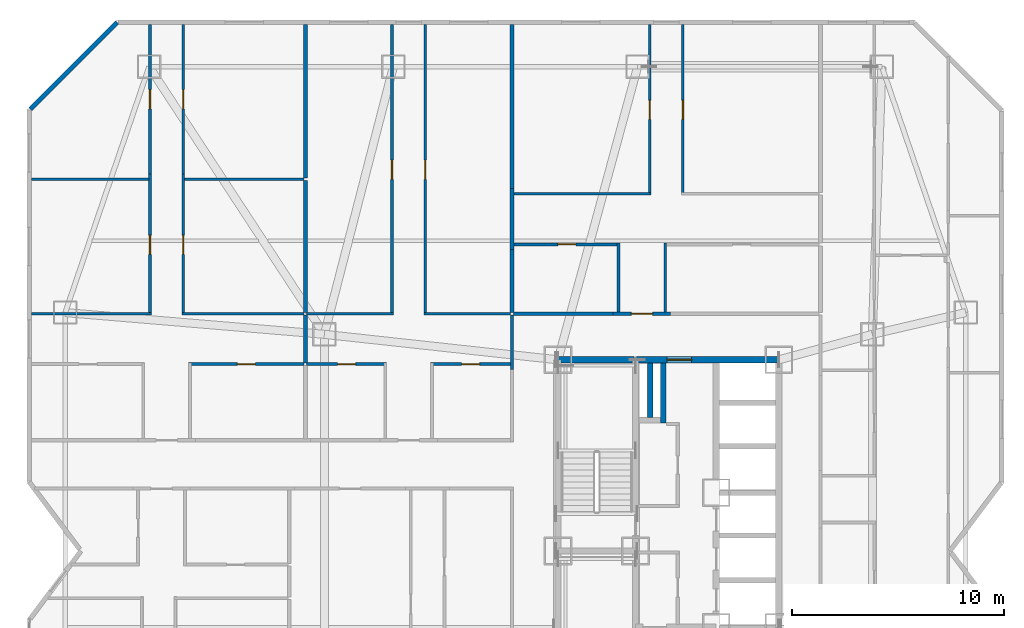
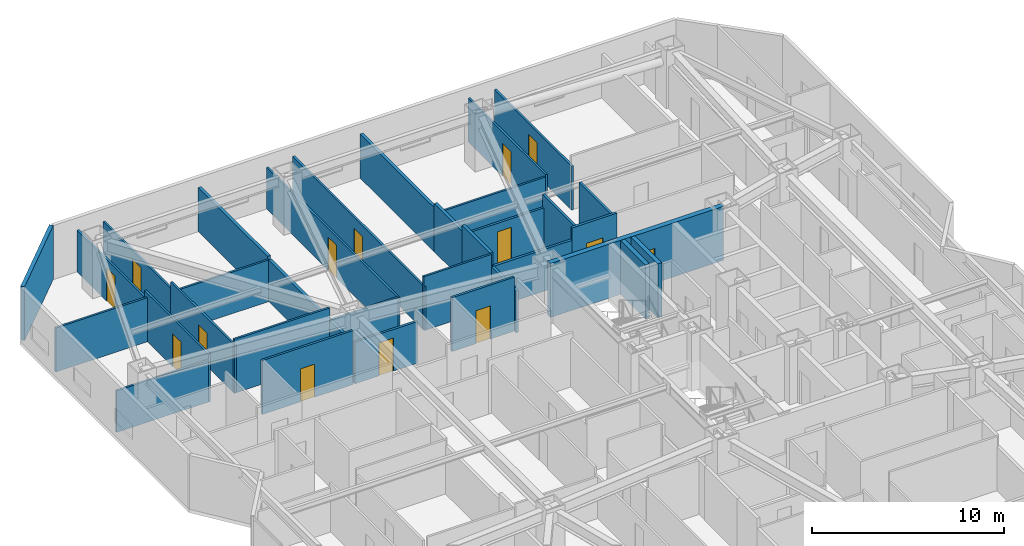
# One storey, part 15 of 18: 34 walls, 14 doors, 14 openings.
"""IFC4 building model written with IfcOpenShell, lengths in metres."""

from ifc_helpers import new_model, si_unit, direction, frame, frame_2d, origin, place, context, subcontext, project, spatial, rectangle, extrude, material, layer, layer_set, type_object, element, fill, save


model = new_model("IFC4")

# Units and contexts
model_context = context("Model", 3, precision=1e-05, world=origin(), true_north=direction((0.0, 1.0)))
body_context = subcontext(model_context, "Body", "Model", "MODEL_VIEW")
ifc_project = project(units=[si_unit("LENGTHUNIT", "METRE"), si_unit("AREAUNIT", "SQUARE_METRE"), si_unit("VOLUMEUNIT", "CUBIC_METRE"), si_unit("PLANEANGLEUNIT", "RADIAN"), si_unit("MASSUNIT", "GRAM", prefix="KILO")], contexts=[model_context])

# Site, building, storey
site_placement = place(None, origin())
site = spatial("IfcSite", under=ifc_project, at=site_placement, CompositionType="ELEMENT")
building_placement = place(site_placement, origin())
building = spatial("IfcBuilding", under=site, at=building_placement, Name="Khamvora Tower", CompositionType="ELEMENT")
storey_placement = place(building_placement, frame((0.0, 0.0, 47.89990234375)))
storey = spatial("IfcBuildingStorey", under=building, at=storey_placement, Name="L11", CompositionType="ELEMENT", Elevation=47.89990234375)

# Wall, opening, door
ifc_material_1 = material(Name="Concrete C50/60", Category="concrete")
ifc_layer_1 = layer(ifc_material_1, 0.300048828125)
ifc_layer_set_1 = layer_set([ifc_layer_1], Name="Concrete C50/60")
wall_type_1 = type_object("IfcWallType", Name="WAL-CORE-300", PredefinedType="SHEAR", material=ifc_layer_set_1)
wall_1_placement = place(storey_placement, frame((29.0, 37.0, 0.0), z_axis=(0.0, 0.0, 1.0), x_axis=(1.0, 0.0, 0.0)))
wall_1 = element("IfcWall", 1, at=wall_1_placement, inside=storey, type_object=wall_type_1, Name="L11 central core north wall", PredefinedType="SHEAR", context=body_context, shape_type="SweptSolid", body=[
    extrude(rectangle(XDim=10.39990234375, YDim=0.300048828125, at=frame_2d((5.199951171875, 0.0))), origin(), (0.0, 0.0, 1.0), 3.43017578125),
])
opening_1_placement = place(wall_1_placement, frame((5.139892578125, 0.0, 0.0)))
opening_1 = element("IfcOpeningElement", 2, at=opening_1_placement, cuts=wall_1, Name="Opening D-SC1", PredefinedType="OPENING", context=body_context, shape_type="SweptSolid", body=[
    extrude(rectangle(XDim=1.14990234375, YDim=2.199951171875, at=frame_2d((0.574951171875, 1.10009765625))), frame((0.0, 0.159912109375, 0.0), z_axis=(0.0, -1.0, 0.0), x_axis=(1.0, 0.0, 0.0)), (0.0, 0.0, 1.0), 0.320068359375),
])
ifc_material_2 = material(Name="Powder-Coated Steel and Hardwood Leaf", Category="steel")
door_type_1 = type_object("IfcDoorType", Name="DOR-SCHL-1150", OperationType="NOTDEFINED", PredefinedType="DOOR", material=ifc_material_2)
door_1_placement = place(opening_1_placement, origin())
door_1 = element("IfcDoor", 3, at=door_1_placement, inside=storey, type_object=door_type_1, Name="L11 north core lobby to corridor fire door", OperationType="SINGLE_SWING_LEFT", OverallHeight=2.199951171875, OverallWidth=1.14990234375, PredefinedType="DOOR", context=body_context, shape_type="SweptSolid", body=[
    extrude(rectangle(XDim=1.14990234375, YDim=2.199951171875, at=frame_2d((0.574951171875, 1.10009765625))), frame((0.0, 0.02490234375, 0.0), z_axis=(0.0, -1.0, 0.0), x_axis=(1.0, 0.0, 0.0)), (0.0, 0.0, 1.0), 0.050048828125),
])
fill(opening_1, door_1)

# Wall
ifc_material_3 = material(Name="Fire-Rated Drywall and Steel Stud", Category="steel")
ifc_layer_2 = layer(ifc_material_3, 0.14990234375)
ifc_layer_set_2 = layer_set([ifc_layer_2], Name="Fire-Rated Drywall and Steel Stud")
wall_type_2 = type_object("IfcWallType", Name="WAL-CORR-150", PredefinedType="STANDARD", material=ifc_layer_set_2)
wall_2_placement = place(storey_placement, frame((26.8349609375, 36.5458984375, 0.0), z_axis=(0.0, 0.0, 1.0), x_axis=(0.0, 1.0, 0.0)))
element("IfcWall", 4, at=wall_2_placement, inside=storey, type_object=wall_type_2, Name="L11 interior partition wall 019", PredefinedType="STANDARD", context=body_context, shape_type="SweptSolid", body=[
    extrude(rectangle(XDim=2.55419921875, YDim=0.14990234375, at=frame_2d((1.277099609375, 0.0))), origin(), (0.0, 0.0, 1.0), 2.647216796875),
])

# Wall, opening, door
wall_3_placement = place(storey_placement, frame((31.60107421875, 39.1650390625, 0.0), z_axis=(0.0, 0.0, 1.0), x_axis=(1.0, 0.0, 0.0)))
wall_3 = element("IfcWall", 5, at=wall_3_placement, inside=storey, type_object=wall_type_2, Name="L11 interior partition wall 027", PredefinedType="STANDARD", context=body_context, shape_type="SweptSolid", body=[
    extrude(rectangle(XDim=2.697998046875, YDim=0.14990234375, at=frame_2d((1.34912109375, 0.0))), origin(), (0.0, 0.0, 1.0), 3.43017578125),
])
opening_2_placement = place(wall_3_placement, frame((0.84912109375, 0.0, 0.0)))
opening_2 = element("IfcOpeningElement", 6, at=opening_2_placement, cuts=wall_3, Name="Opening D-U1", PredefinedType="OPENING", context=body_context, shape_type="SweptSolid", body=[
    extrude(rectangle(XDim=1.0, YDim=2.14990234375, at=frame_2d((0.5, 1.074951171875))), frame((0.0, 0.0849609375, 0.0), z_axis=(0.0, -1.0, 0.0), x_axis=(1.0, 0.0, 0.0)), (0.0, 0.0, 1.0), 0.169921875),
])
door_type_2 = type_object("IfcDoorType", Name="DOR-UNIT-1000", OperationType="NOTDEFINED", PredefinedType="DOOR", material=ifc_material_2)
door_2_placement = place(opening_2_placement, origin())
door_2 = element("IfcDoor", 7, at=door_2_placement, inside=storey, type_object=door_type_2, Name="L11 interior door COR-11NAH", OperationType="SINGLE_SWING_RIGHT", OverallHeight=2.14990234375, OverallWidth=1.0, PredefinedType="DOOR", context=body_context, shape_type="SweptSolid", body=[
    extrude(rectangle(XDim=1.0, YDim=2.14990234375, at=frame_2d((0.5, 1.074951171875))), frame((0.0, 0.02490234375, 0.0), z_axis=(0.0, -1.0, 0.0), x_axis=(1.0, 0.0, 0.0)), (0.0, 0.0, 1.0), 0.050048828125),
])
fill(opening_2, door_2)

# Walls
wall_4_placement = place(storey_placement, frame((26.89990234375, 39.1650390625, 0.0), z_axis=(0.0, 0.0, 1.0), x_axis=(1.0, 0.0, 0.0)))
element("IfcWall", 8, at=wall_4_placement, inside=storey, type_object=wall_type_2, Name="L11 interior partition wall 028", PredefinedType="STANDARD", context=body_context, shape_type="SweptSolid", body=[
    extrude(rectangle(XDim=4.701171875, YDim=0.14990234375, at=frame_2d((2.3505859375, 0.0))), origin(), (0.0, 0.0, 1.0), 2.647216796875),
])
ifc_material_4 = material(Name="Acoustic Double-Stud Fire Wall", Category="gypsum")
ifc_layer_3 = layer(ifc_material_4, 0.179931640625)
ifc_layer_set_3 = layer_set([ifc_layer_3], Name="Acoustic Double-Stud Fire Wall")
wall_type_3 = type_object("IfcWallType", Name="WAL-CORR-180", PredefinedType="STANDARD", material=ifc_layer_set_3)
wall_5_placement = place(storey_placement, frame((17.10498046875, 39.110107421875, 0.0), z_axis=(0.0, 0.0, 1.0), x_axis=(0.0, -1.0, 0.0)))
element("IfcWall", 9, at=wall_5_placement, inside=storey, type_object=wall_type_3, Name="L11 interior partition wall 087", PredefinedType="STANDARD", context=body_context, shape_type="SweptSolid", body=[
    extrude(rectangle(XDim=2.25, YDim=0.179931640625, at=frame_2d((1.125, 0.0))), origin(), (0.0, 0.0, 1.0), 2.647216796875),
])
wall_6_placement = place(storey_placement, frame((17.10498046875, 45.43603515625, 0.0), z_axis=(0.0, 0.0, 1.0), x_axis=(0.0, -1.0, 0.0)))
element("IfcWall", 10, at=wall_6_placement, inside=storey, type_object=wall_type_3, Name="L11 interior partition wall 091", PredefinedType="STANDARD", context=body_context, shape_type="SweptSolid", body=[
    extrude(rectangle(XDim=6.196044921875, YDim=0.179931640625, at=frame_2d((3.09814453125, 0.0))), origin(), (0.0, 0.0, 1.0), 2.647216796875),
])
wall_7_placement = place(storey_placement, frame((17.10498046875, 52.7880859375, 0.0), z_axis=(0.0, 0.0, 1.0), x_axis=(0.0, -1.0, 0.0)))
element("IfcWall", 11, at=wall_7_placement, inside=storey, type_object=wall_type_3, Name="L11 interior partition wall 092", PredefinedType="STANDARD", context=body_context, shape_type="SweptSolid", body=[
    extrude(rectangle(XDim=7.22216796875, YDim=0.179931640625, at=frame_2d((3.611083984375, 0.0))), origin(), (0.0, 0.0, 1.0), 2.802978515625),
])
wall_8_placement = place(storey_placement, frame((26.8349609375, 45.06298828125, 0.0), z_axis=(0.0, 0.0, 1.0), x_axis=(0.0, -1.0, 0.0)))
element("IfcWall", 12, at=wall_8_placement, inside=storey, type_object=wall_type_3, Name="L11 interior partition wall 101", PredefinedType="STANDARD", context=body_context, shape_type="SweptSolid", body=[
    extrude(rectangle(XDim=2.8779296875, YDim=0.179931640625, at=frame_2d((1.43896484375, 0.0))), origin(), (0.0, 0.0, 1.0), 3.065185546875),
])
wall_9_placement = place(storey_placement, frame((26.8349609375, 42.18505859375, 0.0), z_axis=(0.0, 0.0, 1.0), x_axis=(0.0, -1.0, 0.0)))
element("IfcWall", 13, at=wall_9_placement, inside=storey, type_object=wall_type_3, Name="L11 interior partition wall 102", PredefinedType="STANDARD", context=body_context, shape_type="SweptSolid", body=[
    extrude(rectangle(XDim=2.945068359375, YDim=0.179931640625, at=frame_2d((1.47265625, 0.0))), origin(), (0.0, 0.0, 1.0), 3.43017578125),
])
wall_10_placement = place(storey_placement, frame((26.8349609375, 52.7880859375, 0.0), z_axis=(0.0, 0.0, 1.0), x_axis=(0.0, -1.0, 0.0)))
element("IfcWall", 14, at=wall_10_placement, inside=storey, type_object=wall_type_3, Name="L11 interior partition wall 103", PredefinedType="STANDARD", context=body_context, shape_type="SweptSolid", body=[
    extrude(rectangle(XDim=7.72509765625, YDim=0.179931640625, at=frame_2d((3.862548828125, 0.0))), origin(), (0.0, 0.0, 1.0), 2.802978515625),
])
ifc_material_5 = material(Name="Precast concrete C40/50", Category="concrete")
ifc_layer_4 = layer(ifc_material_5, 0.219970703125)
ifc_layer_set_4 = layer_set([ifc_layer_4], Name="Precast concrete C40/50")
wall_type_4 = type_object("IfcWallType", Name="WAL-EXT-220", PredefinedType="STANDARD", material=ifc_layer_set_4)
wall_11_placement = place(storey_placement, frame((4.157958984375, 48.802001953125, 0.0), z_axis=(0.0, 0.0, 1.0), x_axis=(0.70712789547, 0.707085666273, 0.0)))
element("IfcWall", 15, at=wall_11_placement, inside=storey, type_object=wall_type_4, Name="L11 exterior facade wall 06.1", PredefinedType="STANDARD", context=body_context, shape_type="SweptSolid", body=[
    extrude(rectangle(XDim=5.78125, YDim=0.219970703125, at=frame_2d((2.890625, 0.0))), origin(), (0.0, 0.0, 1.0), 3.43017578125),
])
ifc_material_6 = material(Name="Gypsum Plasterboard Partition", Category="gypsum")
ifc_layer_5 = layer(ifc_material_6, 0.1201171875)
ifc_layer_set_5 = layer_set([ifc_layer_5], Name="Gypsum Plasterboard Partition")
wall_type_5 = type_object("IfcWallType", Name="WAL-PART-120", PredefinedType="PARTITIONING", material=ifc_layer_set_5)
wall_12_placement = place(storey_placement, frame((4.2119140625, 39.175048828125, 0.0), z_axis=(0.0, 0.0, 1.0), x_axis=(1.0, 0.0, 0.0)))
element("IfcWall", 16, at=wall_12_placement, inside=storey, type_object=wall_type_5, Name="L11 interior partition wall 081", PredefinedType="PARTITIONING", context=body_context, shape_type="SweptSolid", body=[
    extrude(rectangle(XDim=5.64306640625, YDim=0.1201171875, at=frame_2d((2.821533203125, 0.0))), origin(), (0.0, 0.0, 1.0), 2.647216796875),
])

# Wall, opening, door
wall_13_placement = place(storey_placement, frame((9.7900390625, 39.110107421875, 0.0), z_axis=(0.0, 0.0, 1.0), x_axis=(0.0, 1.0, 0.0)))
wall_13 = element("IfcWall", 17, at=wall_13_placement, inside=storey, type_object=wall_type_5, Name="L11 interior partition wall 082", PredefinedType="PARTITIONING", context=body_context, shape_type="SweptSolid", body=[
    extrude(rectangle(XDim=6.639892578125, YDim=0.1201171875, at=frame_2d((3.31982421875, 0.0))), origin(), (0.0, 0.0, 1.0), 3.065185546875),
])
opening_3_placement = place(wall_13_placement, frame((2.84912109375, 0.0, 0.0)))
opening_3 = element("IfcOpeningElement", 18, at=opening_3_placement, cuts=wall_13, Name="Opening D-RM1", PredefinedType="OPENING", context=body_context, shape_type="SweptSolid", body=[
    extrude(rectangle(XDim=0.89990234375, YDim=2.10009765625, at=frame_2d((0.449951171875, 1.050048828125))), frame((0.0, 0.070068359375, 0.0), z_axis=(0.0, -1.0, 0.0), x_axis=(1.0, 0.0, 0.0)), (0.0, 0.0, 1.0), 0.14013671875),
])
door_type_3 = type_object("IfcDoorType", Name="DOR-ROOM-900", OperationType="NOTDEFINED", PredefinedType="DOOR", material=ifc_material_2)
door_3_placement = place(opening_3_placement, origin())
door_3 = element("IfcDoor", 19, at=door_3_placement, inside=storey, type_object=door_type_3, Name="L11 interior door 11WBH-11WBR1", OperationType="SINGLE_SWING_RIGHT", OverallHeight=2.10009765625, OverallWidth=0.89990234375, PredefinedType="DOOR", context=body_context, shape_type="SweptSolid", body=[
    extrude(rectangle(XDim=0.89990234375, YDim=2.10009765625, at=frame_2d((0.449951171875, 1.050048828125))), frame((0.0, 0.02490234375, 0.0), z_axis=(0.0, -1.0, 0.0), x_axis=(1.0, 0.0, 0.0)), (0.0, 0.0, 1.0), 0.050048828125),
])
fill(opening_3, door_3)

wall_14_placement = place(storey_placement, frame((9.7900390625, 45.75, 0.0), z_axis=(0.0, 0.0, 1.0), x_axis=(0.0, 1.0, 0.0)))
wall_14 = element("IfcWall", 20, at=wall_14_placement, inside=storey, type_object=wall_type_5, Name="L11 interior partition wall 083", PredefinedType="PARTITIONING", context=body_context, shape_type="SweptSolid", body=[
    extrude(rectangle(XDim=7.0380859375, YDim=0.1201171875, at=frame_2d((3.51904296875, 0.0))), origin(), (0.0, 0.0, 1.0), 2.647216796875),
])
opening_4_placement = place(wall_14_placement, frame((3.069091796875, 0.0, 0.0)))
opening_4 = element("IfcOpeningElement", 21, at=opening_4_placement, cuts=wall_14, Name="Opening D-RM1", PredefinedType="OPENING", context=body_context, shape_type="SweptSolid", body=[
    extrude(rectangle(XDim=0.89990234375, YDim=2.10009765625, at=frame_2d((0.449951171875, 1.050048828125))), frame((0.0, 0.070068359375, 0.0), z_axis=(0.0, -1.0, 0.0), x_axis=(1.0, 0.0, 0.0)), (0.0, 0.0, 1.0), 0.14013671875),
])
door_4_placement = place(opening_4_placement, origin())
door_4 = element("IfcDoor", 22, at=door_4_placement, inside=storey, type_object=door_type_3, Name="L11 interior door 11WBH-11WBR2", OperationType="SINGLE_SWING_LEFT", OverallHeight=2.10009765625, OverallWidth=0.89990234375, PredefinedType="DOOR", context=body_context, shape_type="SweptSolid", body=[
    extrude(rectangle(XDim=0.89990234375, YDim=2.10009765625, at=frame_2d((0.449951171875, 1.050048828125))), frame((0.0, 0.02490234375, 0.0), z_axis=(0.0, -1.0, 0.0), x_axis=(1.0, 0.0, 0.0)), (0.0, 0.0, 1.0), 0.050048828125),
])
fill(opening_4, door_4)

wall_15_placement = place(storey_placement, frame((11.360107421875, 45.75, 0.0), z_axis=(0.0, 0.0, 1.0), x_axis=(0.0, -1.0, 0.0)))
wall_15 = element("IfcWall", 23, at=wall_15_placement, inside=storey, type_object=wall_type_5, Name="L11 interior partition wall 084", PredefinedType="PARTITIONING", context=body_context, shape_type="SweptSolid", body=[
    extrude(rectangle(XDim=6.639892578125, YDim=0.1201171875, at=frame_2d((3.31982421875, 0.0))), origin(), (0.0, 0.0, 1.0), 3.065185546875),
])
opening_5_placement = place(wall_15_placement, frame((2.89111328125, 0.0, 0.0)))
opening_5 = element("IfcOpeningElement", 24, at=opening_5_placement, cuts=wall_15, Name="Opening D-RM1", PredefinedType="OPENING", context=body_context, shape_type="SweptSolid", body=[
    extrude(rectangle(XDim=0.89990234375, YDim=2.10009765625, at=frame_2d((0.449951171875, 1.050048828125))), frame((0.0, 0.070068359375, 0.0), z_axis=(0.0, -1.0, 0.0), x_axis=(1.0, 0.0, 0.0)), (0.0, 0.0, 1.0), 0.14013671875),
])
door_5_placement = place(opening_5_placement, origin())
door_5 = element("IfcDoor", 25, at=door_5_placement, inside=storey, type_object=door_type_3, Name="L11 interior door 11WBH-11WBR3", OperationType="SINGLE_SWING_RIGHT", OverallHeight=2.10009765625, OverallWidth=0.89990234375, PredefinedType="DOOR", context=body_context, shape_type="SweptSolid", body=[
    extrude(rectangle(XDim=0.89990234375, YDim=2.10009765625, at=frame_2d((0.449951171875, 1.050048828125))), frame((0.0, 0.02490234375, 0.0), z_axis=(0.0, -1.0, 0.0), x_axis=(1.0, 0.0, 0.0)), (0.0, 0.0, 1.0), 0.050048828125),
])
fill(opening_5, door_5)

# Wall
wall_16_placement = place(storey_placement, frame((11.294921875, 39.175048828125, 0.0), z_axis=(0.0, 0.0, 1.0), x_axis=(1.0, 0.0, 0.0)))
element("IfcWall", 26, at=wall_16_placement, inside=storey, type_object=wall_type_5, Name="L11 interior partition wall 085", PredefinedType="PARTITIONING", context=body_context, shape_type="SweptSolid", body=[
    extrude(rectangle(XDim=5.7451171875, YDim=0.1201171875, at=frame_2d((2.87255859375, 0.0))), origin(), (0.0, 0.0, 1.0), 3.43017578125),
])

# Wall, opening, door
wall_17_placement = place(storey_placement, frame((11.360107421875, 52.7880859375, 0.0), z_axis=(0.0, 0.0, 1.0), x_axis=(0.0, -1.0, 0.0)))
wall_17 = element("IfcWall", 27, at=wall_17_placement, inside=storey, type_object=wall_type_5, Name="L11 interior partition wall 086", PredefinedType="PARTITIONING", context=body_context, shape_type="SweptSolid", body=[
    extrude(rectangle(XDim=7.0380859375, YDim=0.1201171875, at=frame_2d((3.51904296875, 0.0))), origin(), (0.0, 0.0, 1.0), 2.647216796875),
])
opening_6_placement = place(wall_17_placement, frame((3.069091796875, 0.0, 0.0)))
opening_6 = element("IfcOpeningElement", 28, at=opening_6_placement, cuts=wall_17, Name="Opening D-RM1", PredefinedType="OPENING", context=body_context, shape_type="SweptSolid", body=[
    extrude(rectangle(XDim=0.89990234375, YDim=2.10009765625, at=frame_2d((0.449951171875, 1.050048828125))), frame((0.0, 0.070068359375, 0.0), z_axis=(0.0, -1.0, 0.0), x_axis=(1.0, 0.0, 0.0)), (0.0, 0.0, 1.0), 0.14013671875),
])
door_6_placement = place(opening_6_placement, origin())
door_6 = element("IfcDoor", 29, at=door_6_placement, inside=storey, type_object=door_type_3, Name="L11 interior door 11WBH-11WBR4", OperationType="SINGLE_SWING_LEFT", OverallHeight=2.10009765625, OverallWidth=0.89990234375, PredefinedType="DOOR", context=body_context, shape_type="SweptSolid", body=[
    extrude(rectangle(XDim=0.89990234375, YDim=2.10009765625, at=frame_2d((0.449951171875, 1.050048828125))), frame((0.0, 0.02490234375, 0.0), z_axis=(0.0, -1.0, 0.0), x_axis=(1.0, 0.0, 0.0)), (0.0, 0.0, 1.0), 0.050048828125),
])
fill(opening_6, door_6)

# Walls
wall_18_placement = place(storey_placement, frame((4.2119140625, 45.5009765625, 0.0), z_axis=(0.0, 0.0, 1.0), x_axis=(1.0, 0.0, 0.0)))
element("IfcWall", 30, at=wall_18_placement, inside=storey, type_object=wall_type_5, Name="L11 interior partition wall 089", PredefinedType="PARTITIONING", context=body_context, shape_type="SweptSolid", body=[
    extrude(rectangle(XDim=5.524169921875, YDim=0.1201171875, at=frame_2d((2.76220703125, 0.0))), origin(), (0.0, 0.0, 1.0), 2.802978515625),
])
wall_19_placement = place(storey_placement, frame((11.4140625, 45.5009765625, 0.0), z_axis=(0.0, 0.0, 1.0), x_axis=(1.0, 0.0, 0.0)))
element("IfcWall", 31, at=wall_19_placement, inside=storey, type_object=wall_type_5, Name="L11 interior partition wall 090", PredefinedType="PARTITIONING", context=body_context, shape_type="SweptSolid", body=[
    extrude(rectangle(XDim=5.6259765625, YDim=0.1201171875, at=frame_2d((2.81298828125, 0.0))), origin(), (0.0, 0.0, 1.0), 2.647216796875),
])
wall_20_placement = place(storey_placement, frame((17.169921875, 39.175048828125, 0.0), z_axis=(0.0, 0.0, 1.0), x_axis=(1.0, 0.0, 0.0)))
element("IfcWall", 32, at=wall_20_placement, inside=storey, type_object=wall_type_5, Name="L11 interior partition wall 097", PredefinedType="PARTITIONING", context=body_context, shape_type="SweptSolid", body=[
    extrude(rectangle(XDim=4.080078125, YDim=0.1201171875, at=frame_2d((2.0400390625, 0.0))), origin(), (0.0, 0.0, 1.0), 2.647216796875),
])

# Wall, opening, door
wall_21_placement = place(storey_placement, frame((21.18505859375, 39.110107421875, 0.0), z_axis=(0.0, 0.0, 1.0), x_axis=(0.0, 1.0, 0.0)))
wall_21 = element("IfcWall", 33, at=wall_21_placement, inside=storey, type_object=wall_type_5, Name="L11 interior partition wall 098", PredefinedType="PARTITIONING", context=body_context, shape_type="SweptSolid", body=[
    extrude(rectangle(XDim=13.677978515625, YDim=0.1201171875, at=frame_2d((6.8388671875, 0.0))), origin(), (0.0, 0.0, 1.0), 2.647216796875),
])
opening_7_placement = place(wall_21_placement, frame((6.388916015625, 0.0, 0.0)))
opening_7 = element("IfcOpeningElement", 34, at=opening_7_placement, cuts=wall_21, Name="Opening D-RM1", PredefinedType="OPENING", context=body_context, shape_type="SweptSolid", body=[
    extrude(rectangle(XDim=0.89990234375, YDim=2.10009765625, at=frame_2d((0.449951171875, 1.050048828125))), frame((0.0, 0.070068359375, 0.0), z_axis=(0.0, -1.0, 0.0), x_axis=(1.0, 0.0, 0.0)), (0.0, 0.0, 1.0), 0.14013671875),
])
door_7_placement = place(opening_7_placement, origin())
door_7 = element("IfcDoor", 35, at=door_7_placement, inside=storey, type_object=door_type_3, Name="L11 interior door 11WCH-11WCR1", OperationType="SINGLE_SWING_RIGHT", OverallHeight=2.10009765625, OverallWidth=0.89990234375, PredefinedType="DOOR", context=body_context, shape_type="SweptSolid", body=[
    extrude(rectangle(XDim=0.89990234375, YDim=2.10009765625, at=frame_2d((0.449951171875, 1.050048828125))), frame((0.0, 0.02490234375, 0.0), z_axis=(0.0, -1.0, 0.0), x_axis=(1.0, 0.0, 0.0)), (0.0, 0.0, 1.0), 0.050048828125),
])
fill(opening_7, door_7)

wall_22_placement = place(storey_placement, frame((22.7548828125, 52.7880859375, 0.0), z_axis=(0.0, 0.0, 1.0), x_axis=(0.0, -1.0, 0.0)))
wall_22 = element("IfcWall", 36, at=wall_22_placement, inside=storey, type_object=wall_type_5, Name="L11 interior partition wall 099", PredefinedType="PARTITIONING", context=body_context, shape_type="SweptSolid", body=[
    extrude(rectangle(XDim=13.677978515625, YDim=0.1201171875, at=frame_2d((6.8388671875, 0.0))), origin(), (0.0, 0.0, 1.0), 2.802978515625),
])
opening_8_placement = place(wall_22_placement, frame((6.388916015625, 0.0, 0.0)))
opening_8 = element("IfcOpeningElement", 37, at=opening_8_placement, cuts=wall_22, Name="Opening D-RM1", PredefinedType="OPENING", context=body_context, shape_type="SweptSolid", body=[
    extrude(rectangle(XDim=0.89990234375, YDim=2.10009765625, at=frame_2d((0.449951171875, 1.050048828125))), frame((0.0, 0.070068359375, 0.0), z_axis=(0.0, -1.0, 0.0), x_axis=(1.0, 0.0, 0.0)), (0.0, 0.0, 1.0), 0.14013671875),
])
door_8_placement = place(opening_8_placement, origin())
door_8 = element("IfcDoor", 38, at=door_8_placement, inside=storey, type_object=door_type_3, Name="L11 interior door 11WCH-11WCR2", OperationType="SINGLE_SWING_LEFT", OverallHeight=2.10009765625, OverallWidth=0.89990234375, PredefinedType="DOOR", context=body_context, shape_type="SweptSolid", body=[
    extrude(rectangle(XDim=0.89990234375, YDim=2.10009765625, at=frame_2d((0.449951171875, 1.050048828125))), frame((0.0, 0.02490234375, 0.0), z_axis=(0.0, -1.0, 0.0), x_axis=(1.0, 0.0, 0.0)), (0.0, 0.0, 1.0), 0.050048828125),
])
fill(opening_8, door_8)

# Walls
wall_23_placement = place(storey_placement, frame((22.68994140625, 39.175048828125, 0.0), z_axis=(0.0, 0.0, 1.0), x_axis=(1.0, 0.0, 0.0)))
element("IfcWall", 39, at=wall_23_placement, inside=storey, type_object=wall_type_5, Name="L11 interior partition wall 100", PredefinedType="PARTITIONING", context=body_context, shape_type="SweptSolid", body=[
    extrude(rectangle(XDim=4.080078125, YDim=0.1201171875, at=frame_2d((2.0400390625, 0.0))), origin(), (0.0, 0.0, 1.0), 3.43017578125),
])
wall_24_placement = place(storey_placement, frame((26.9169921875, 44.81396484375, 0.0), z_axis=(0.0, 0.0, 1.0), x_axis=(1.0, 0.0, 0.0)))
element("IfcWall", 40, at=wall_24_placement, inside=storey, type_object=wall_type_5, Name="L11 interior partition wall 120", PredefinedType="PARTITIONING", context=body_context, shape_type="SweptSolid", body=[
    extrude(rectangle(XDim=6.462890625, YDim=0.1201171875, at=frame_2d((3.2314453125, 0.0))), origin(), (0.0, 0.0, 1.0), 2.647216796875),
])

# Wall, opening, door
wall_25_placement = place(storey_placement, frame((33.31494140625, 44.7490234375, 0.0), z_axis=(0.0, 0.0, 1.0), x_axis=(0.0, 1.0, 0.0)))
wall_25 = element("IfcWall", 41, at=wall_25_placement, inside=storey, type_object=wall_type_5, Name="L11 interior partition wall 121", PredefinedType="PARTITIONING", context=body_context, shape_type="SweptSolid", body=[
    extrude(rectangle(XDim=8.0390625, YDim=0.1201171875, at=frame_2d((4.01953125, 0.0))), origin(), (0.0, 0.0, 1.0), 2.802978515625),
])
opening_9_placement = place(wall_25_placement, frame((3.569091796875, 0.0, 0.0)))
opening_9 = element("IfcOpeningElement", 42, at=opening_9_placement, cuts=wall_25, Name="Opening D-RM1", PredefinedType="OPENING", context=body_context, shape_type="SweptSolid", body=[
    extrude(rectangle(XDim=0.89990234375, YDim=2.10009765625, at=frame_2d((0.449951171875, 1.050048828125))), frame((0.0, 0.070068359375, 0.0), z_axis=(0.0, -1.0, 0.0), x_axis=(1.0, 0.0, 0.0)), (0.0, 0.0, 1.0), 0.14013671875),
])
door_9_placement = place(opening_9_placement, origin())
door_9 = element("IfcDoor", 43, at=door_9_placement, inside=storey, type_object=door_type_3, Name="L11 interior door 11NAH-11NAR1", OperationType="SINGLE_SWING_RIGHT", OverallHeight=2.10009765625, OverallWidth=0.89990234375, PredefinedType="DOOR", context=body_context, shape_type="SweptSolid", body=[
    extrude(rectangle(XDim=0.89990234375, YDim=2.10009765625, at=frame_2d((0.449951171875, 1.050048828125))), frame((0.0, 0.02490234375, 0.0), z_axis=(0.0, -1.0, 0.0), x_axis=(1.0, 0.0, 0.0)), (0.0, 0.0, 1.0), 0.050048828125),
])
fill(opening_9, door_9)

wall_26_placement = place(storey_placement, frame((34.885009765625, 52.7880859375, 0.0), z_axis=(0.0, 0.0, 1.0), x_axis=(0.0, -1.0, 0.0)))
wall_26 = element("IfcWall", 44, at=wall_26_placement, inside=storey, type_object=wall_type_5, Name="L11 interior partition wall 122", PredefinedType="PARTITIONING", context=body_context, shape_type="SweptSolid", body=[
    extrude(rectangle(XDim=8.0390625, YDim=0.1201171875, at=frame_2d((4.01953125, 0.0))), origin(), (0.0, 0.0, 1.0), 2.802978515625),
])
opening_10_placement = place(wall_26_placement, frame((3.569091796875, 0.0, 0.0)))
opening_10 = element("IfcOpeningElement", 45, at=opening_10_placement, cuts=wall_26, Name="Opening D-RM1", PredefinedType="OPENING", context=body_context, shape_type="SweptSolid", body=[
    extrude(rectangle(XDim=0.89990234375, YDim=2.10009765625, at=frame_2d((0.449951171875, 1.050048828125))), frame((0.0, 0.070068359375, 0.0), z_axis=(0.0, -1.0, 0.0), x_axis=(1.0, 0.0, 0.0)), (0.0, 0.0, 1.0), 0.14013671875),
])
door_10_placement = place(opening_10_placement, origin())
door_10 = element("IfcDoor", 46, at=door_10_placement, inside=storey, type_object=door_type_3, Name="L11 interior door 11NAH-11NAR2", OperationType="SINGLE_SWING_LEFT", OverallHeight=2.10009765625, OverallWidth=0.89990234375, PredefinedType="DOOR", context=body_context, shape_type="SweptSolid", body=[
    extrude(rectangle(XDim=0.89990234375, YDim=2.10009765625, at=frame_2d((0.449951171875, 1.050048828125))), frame((0.0, 0.02490234375, 0.0), z_axis=(0.0, -1.0, 0.0), x_axis=(1.0, 0.0, 0.0)), (0.0, 0.0, 1.0), 0.050048828125),
])
fill(opening_10, door_10)

# Walls
ifc_material_7 = material(Name="Concrete C40/50", Category="concrete")
ifc_layer_6 = layer(ifc_material_7, 0.25)
ifc_layer_set_6 = layer_set([ifc_layer_6], Name="Concrete C40/50")
wall_type_6 = type_object("IfcWallType", Name="WAL-PODS-250", PredefinedType="SHEAR", material=ifc_layer_set_6)
wall_27_placement = place(storey_placement, frame((33.955078125, 34.02490234375, 0.0), z_axis=(0.0, 0.0, 1.0), x_axis=(0.0, 1.0, 0.0)))
element("IfcWall", 47, at=wall_27_placement, inside=storey, type_object=wall_type_6, Name="L11 vertical MEP riser shaft east enclosure wall", PredefinedType="SHEAR", context=body_context, shape_type="SweptSolid", body=[
    extrude(rectangle(XDim=2.821044921875, YDim=0.25, at=frame_2d((1.41064453125, 0.0))), origin(), (0.0, 0.0, 1.0), 3.43017578125),
])
wall_28_placement = place(storey_placement, frame((33.340087890625, 34.279052734375, 0.0), z_axis=(0.0, 0.0, 1.0), x_axis=(0.0, 1.0, 0.0)))
element("IfcWall", 48, at=wall_28_placement, inside=storey, type_object=wall_type_6, Name="L11 vertical MEP riser shaft divider enclosure wall", PredefinedType="SHEAR", context=body_context, shape_type="SweptSolid", body=[
    extrude(rectangle(XDim=2.56689453125, YDim=0.25, at=frame_2d((1.283447265625, 0.0))), origin(), (0.0, 0.0, 1.0), 3.43017578125),
])

# Wall, opening, door
ifc_material_8 = material(Name="Moisture-Resistant Plasterboard Partition", Category="gypsum")
ifc_layer_7 = layer(ifc_material_8, 0.135009765625)
ifc_layer_set_7 = layer_set([ifc_layer_7], Name="Moisture-Resistant Plasterboard Partition")
wall_type_7 = type_object("IfcWallType", Name="WAL-WET-135", PredefinedType="PARTITIONING", material=ifc_layer_set_7)
wall_29_placement = place(storey_placement, frame((17.0400390625, 36.794921875, 0.0), z_axis=(0.0, 0.0, 1.0), x_axis=(-1.0, 0.0, 0.0)))
wall_29 = element("IfcWall", 49, at=wall_29_placement, inside=storey, type_object=wall_type_7, Name="L11 interior partition wall 079", PredefinedType="PARTITIONING", context=body_context, shape_type="SweptSolid", body=[
    extrude(rectangle(XDim=5.429931640625, YDim=0.135009765625, at=frame_2d((2.71484375, 0.0))), origin(), (0.0, 0.0, 1.0), 3.43017578125),
])
opening_11_placement = place(wall_29_placement, frame((2.2900390625, 0.0, 0.0)))
opening_11 = element("IfcOpeningElement", 50, at=opening_11_placement, cuts=wall_29, Name="Opening D-RM2", PredefinedType="OPENING", context=body_context, shape_type="SweptSolid", body=[
    extrude(rectangle(XDim=0.85009765625, YDim=2.10009765625, at=frame_2d((0.425048828125, 1.050048828125))), frame((0.0, 0.077392578125, 0.0), z_axis=(0.0, -1.0, 0.0), x_axis=(1.0, 0.0, 0.0)), (0.0, 0.0, 1.0), 0.155029296875),
])
door_type_4 = type_object("IfcDoorType", Name="DOR-ROOM-850", OperationType="NOTDEFINED", PredefinedType="DOOR", material=ifc_material_2)
door_11_placement = place(opening_11_placement, origin())
door_11 = element("IfcDoor", 51, at=door_11_placement, inside=storey, type_object=door_type_4, Name="L11 interior door 11WBH-11WBK", OperationType="SINGLE_SWING_LEFT", OverallHeight=2.10009765625, OverallWidth=0.85009765625, PredefinedType="DOOR", context=body_context, shape_type="SweptSolid", body=[
    extrude(rectangle(XDim=0.85009765625, YDim=2.10009765625, at=frame_2d((0.425048828125, 1.050048828125))), frame((0.0, 0.02490234375, 0.0), z_axis=(0.0, -1.0, 0.0), x_axis=(1.0, 0.0, 0.0)), (0.0, 0.0, 1.0), 0.050048828125),
])
fill(opening_11, door_11)

wall_30_placement = place(storey_placement, frame((20.93505859375, 36.794921875, 0.0), z_axis=(0.0, 0.0, 1.0), x_axis=(-1.0, 0.0, 0.0)))
wall_30 = element("IfcWall", 52, at=wall_30_placement, inside=storey, type_object=wall_type_7, Name="L11 interior partition wall 094", PredefinedType="PARTITIONING", context=body_context, shape_type="SweptSolid", body=[
    extrude(rectangle(XDim=3.76513671875, YDim=0.135009765625, at=frame_2d((1.882568359375, 0.0))), origin(), (0.0, 0.0, 1.0), 2.647216796875),
])
opening_12_placement = place(wall_30_placement, frame((1.4580078125, 0.0, 0.0)))
opening_12 = element("IfcOpeningElement", 53, at=opening_12_placement, cuts=wall_30, Name="Opening D-WC1", PredefinedType="OPENING", context=body_context, shape_type="SweptSolid", body=[
    extrude(rectangle(XDim=0.85009765625, YDim=2.10009765625, at=frame_2d((0.425048828125, 1.050048828125))), frame((0.0, 0.077392578125, 0.0), z_axis=(0.0, -1.0, 0.0), x_axis=(1.0, 0.0, 0.0)), (0.0, 0.0, 1.0), 0.155029296875),
])
door_type_5 = type_object("IfcDoorType", Name="DOR-WET-850", OperationType="NOTDEFINED", PredefinedType="DOOR", material=ifc_material_2)
door_12_placement = place(opening_12_placement, origin())
door_12 = element("IfcDoor", 54, at=door_12_placement, inside=storey, type_object=door_type_5, Name="L11 interior door 11WCH-11WCB", OperationType="SINGLE_SWING_LEFT", OverallHeight=2.10009765625, OverallWidth=0.85009765625, PredefinedType="DOOR", context=body_context, shape_type="SweptSolid", body=[
    extrude(rectangle(XDim=0.85009765625, YDim=2.10009765625, at=frame_2d((0.425048828125, 1.050048828125))), frame((0.0, 0.02490234375, 0.0), z_axis=(0.0, -1.0, 0.0), x_axis=(1.0, 0.0, 0.0)), (0.0, 0.0, 1.0), 0.050048828125),
])
fill(opening_12, door_12)

wall_31_placement = place(storey_placement, frame((26.77001953125, 36.794921875, 0.0), z_axis=(0.0, 0.0, 1.0), x_axis=(-1.0, 0.0, 0.0)))
wall_31 = element("IfcWall", 55, at=wall_31_placement, inside=storey, type_object=wall_type_7, Name="L11 interior partition wall 095", PredefinedType="PARTITIONING", context=body_context, shape_type="SweptSolid", body=[
    extrude(rectangle(XDim=3.76513671875, YDim=0.135009765625, at=frame_2d((1.882568359375, 0.0))), origin(), (0.0, 0.0, 1.0), 3.43017578125),
])
opening_13_placement = place(wall_31_placement, frame((1.4580078125, 0.0, 0.0)))
opening_13 = element("IfcOpeningElement", 56, at=opening_13_placement, cuts=wall_31, Name="Opening D-RM2", PredefinedType="OPENING", context=body_context, shape_type="SweptSolid", body=[
    extrude(rectangle(XDim=0.85009765625, YDim=2.10009765625, at=frame_2d((0.425048828125, 1.050048828125))), frame((0.0, 0.077392578125, 0.0), z_axis=(0.0, -1.0, 0.0), x_axis=(1.0, 0.0, 0.0)), (0.0, 0.0, 1.0), 0.155029296875),
])
door_13_placement = place(opening_13_placement, origin())
door_13 = element("IfcDoor", 57, at=door_13_placement, inside=storey, type_object=door_type_4, Name="L11 interior door 11WCH-11WCK", OperationType="SINGLE_SWING_LEFT", OverallHeight=2.10009765625, OverallWidth=0.85009765625, PredefinedType="DOOR", context=body_context, shape_type="SweptSolid", body=[
    extrude(rectangle(XDim=0.85009765625, YDim=2.10009765625, at=frame_2d((0.425048828125, 1.050048828125))), frame((0.0, 0.02490234375, 0.0), z_axis=(0.0, -1.0, 0.0), x_axis=(1.0, 0.0, 0.0)), (0.0, 0.0, 1.0), 0.050048828125),
])
fill(opening_13, door_13)

# Wall
wall_32_placement = place(storey_placement, frame((31.85009765625, 39.23193359375, 0.0), z_axis=(0.0, 0.0, 1.0), x_axis=(0.0, 1.0, 0.0)))
element("IfcWall", 58, at=wall_32_placement, inside=storey, type_object=wall_type_7, Name="L11 interior partition wall 116", PredefinedType="PARTITIONING", context=body_context, shape_type="SweptSolid", body=[
    extrude(rectangle(XDim=3.26708984375, YDim=0.135009765625, at=frame_2d((1.633544921875, 0.0))), origin(), (0.0, 0.0, 1.0), 3.43017578125),
])

# Wall, opening, door
wall_33_placement = place(storey_placement, frame((31.9150390625, 42.43408203125, 0.0), z_axis=(0.0, 0.0, 1.0), x_axis=(-1.0, 0.0, 0.0)))
wall_33 = element("IfcWall", 59, at=wall_33_placement, inside=storey, type_object=wall_type_7, Name="L11 interior partition wall 117", PredefinedType="PARTITIONING", context=body_context, shape_type="SweptSolid", body=[
    extrude(rectangle(XDim=4.998046875, YDim=0.135009765625, at=frame_2d((2.4990234375, 0.0))), origin(), (0.0, 0.0, 1.0), 2.647216796875),
])
opening_14_placement = place(wall_33_placement, frame((2.073974609375, 0.0, 0.0)))
opening_14 = element("IfcOpeningElement", 60, at=opening_14_placement, cuts=wall_33, Name="Opening D-WC1", PredefinedType="OPENING", context=body_context, shape_type="SweptSolid", body=[
    extrude(rectangle(XDim=0.85009765625, YDim=2.10009765625, at=frame_2d((0.425048828125, 1.050048828125))), frame((0.0, 0.077392578125, 0.0), z_axis=(0.0, -1.0, 0.0), x_axis=(1.0, 0.0, 0.0)), (0.0, 0.0, 1.0), 0.155029296875),
])
door_14_placement = place(opening_14_placement, origin())
door_14 = element("IfcDoor", 61, at=door_14_placement, inside=storey, type_object=door_type_5, Name="L11 interior door 11NAH-11NAB", OperationType="SINGLE_SWING_RIGHT", OverallHeight=2.10009765625, OverallWidth=0.85009765625, PredefinedType="DOOR", context=body_context, shape_type="SweptSolid", body=[
    extrude(rectangle(XDim=0.85009765625, YDim=2.10009765625, at=frame_2d((0.425048828125, 1.050048828125))), frame((0.0, 0.02490234375, 0.0), z_axis=(0.0, -1.0, 0.0), x_axis=(1.0, 0.0, 0.0)), (0.0, 0.0, 1.0), 0.050048828125),
])
fill(opening_14, door_14)

# Wall
wall_34_placement = place(storey_placement, frame((34.050048828125, 42.4990234375, 0.0), z_axis=(0.0, 0.0, 1.0), x_axis=(0.0, -1.0, 0.0)))
element("IfcWall", 62, at=wall_34_placement, inside=storey, type_object=wall_type_7, Name="L11 interior partition wall 119", PredefinedType="PARTITIONING", context=body_context, shape_type="SweptSolid", body=[
    extrude(rectangle(XDim=3.26708984375, YDim=0.135009765625, at=frame_2d((1.633544921875, 0.0))), origin(), (0.0, 0.0, 1.0), 3.43017578125),
])

save(model, "model.ifc")
